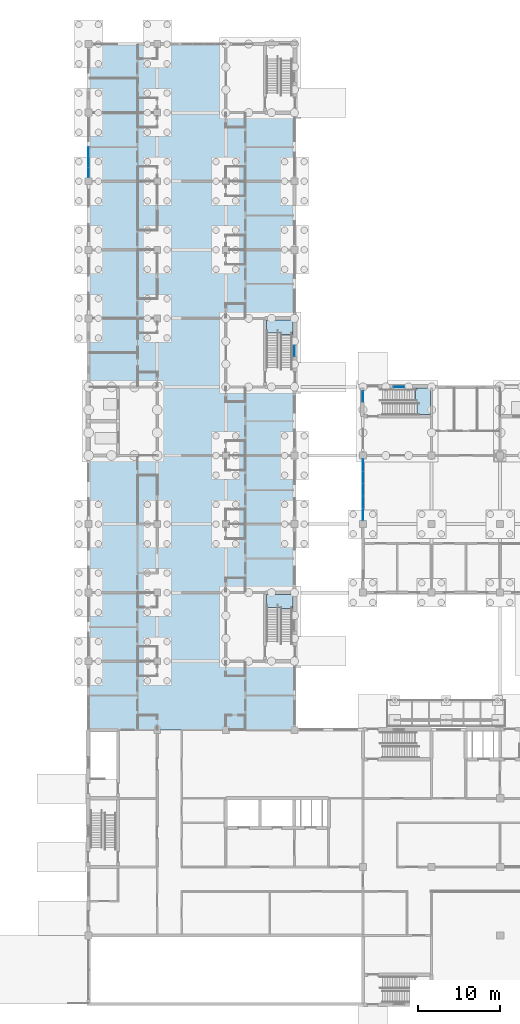
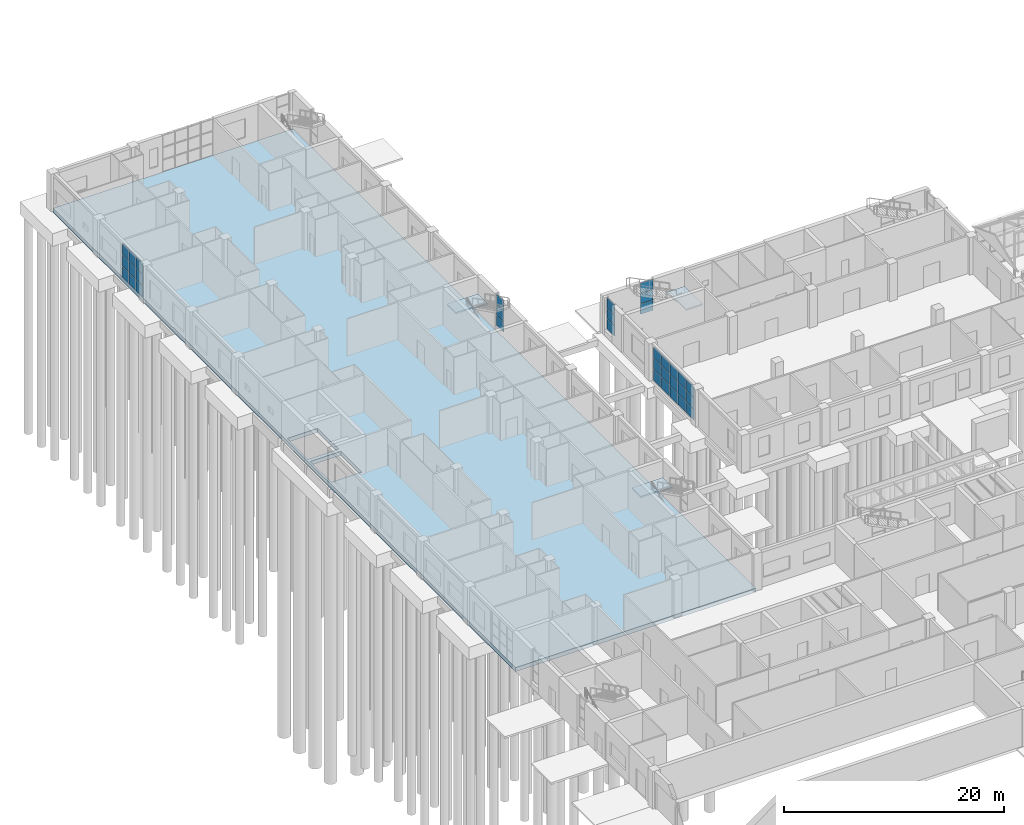
# One storey, part 81 of 138: 33 plates, 4 slabs, 8 elements without a shape of their own.
"""IFC4 building model written with IfcOpenShell, lengths in metres."""

from ifc_helpers import new_model, si_unit, direction, frame, origin, origin_2d, place, context, subcontext, project, spatial, polyline, rectangle, outline, extrude, material, layer, layer_set, type_object, element, aggregate, save


model = new_model("IFC4")

# Units and contexts
model_context = context("Model", 3, precision=1e-05, world=origin(), true_north=direction((0.0, 1.0)))
body_context = subcontext(model_context, "Body", "Model", "MODEL_VIEW")
ifc_project = project(units=[si_unit("LENGTHUNIT", "METRE"), si_unit("AREAUNIT", "SQUARE_METRE"), si_unit("VOLUMEUNIT", "CUBIC_METRE"), si_unit("PLANEANGLEUNIT", "RADIAN"), si_unit("MASSUNIT", "GRAM", prefix="KILO")], contexts=[model_context])

# Site, building, storey
site_placement = place(None, origin())
site = spatial("IfcSite", under=ifc_project, at=site_placement, CompositionType="ELEMENT")
building_placement = place(site_placement, origin())
building = spatial("IfcBuilding", under=site, at=building_placement, Name="Yavir Park General Hospital", CompositionType="ELEMENT")
storey_placement = place(building_placement, origin())
storey = spatial("IfcBuildingStorey", under=building, at=storey_placement, Name="L00", CompositionType="ELEMENT", Elevation=0.0)

# Stair, slab
ifc_material_1 = material(Name="Concrete C30/37", Category="concrete")
stair_type = type_object("IfcStairType", Name="Patient escape stair, 30 risers of 150 mm, 1400 mm flights", PredefinedType="HALF_TURN_STAIR", material=ifc_material_1)
stair_1_placement = place(storey_placement, origin())
stair_1 = element("IfcStair", 1, at=stair_1_placement, inside=storey, type_object=stair_type, Name="Stair SW1, L00 to L01", PredefinedType="HALF_TURN_STAIR")
ifc_material_2 = material(Name="Concrete C30/37", Category="concrete")
ifc_layer_1 = layer(ifc_material_2, 0.159912109375)
ifc_layer_set_1 = layer_set([ifc_layer_1], Name="Concrete C30/37")
slab_type_1 = type_object("IfcSlabType", Name="Patient escape stair half landing, reinforced concrete 160 mm", PredefinedType="LANDING", material=ifc_layer_set_1)
slab_1_placement = place(storey_placement, frame((0.0, 0.0, 2.090087890625)))
slab_1 = element("IfcSlab", 2, at=slab_1_placement, type_object=slab_type_1, Name="SW1 landing 1", PredefinedType="LANDING", context=body_context, shape_type="SweptSolid", body=[
    extrude(outline(polyline([(21.800048828125, 48.598388671875), (21.800048828125, 50.199951171875), (25.050048828125, 50.199951171875), (25.050048828125, 48.449951171875), (23.5, 48.449951171875), (23.5, 48.598388671875), (21.800048828125, 48.598388671875)])), origin(), (0.0, 0.0, 1.0), 0.159912109375),
])
aggregate(stair_1, [slab_1])

stair_2_placement = place(storey_placement, origin())
stair_2 = element("IfcStair", 3, at=stair_2_placement, inside=storey, type_object=stair_type, Name="Stair SW2, L00 to L01", PredefinedType="HALF_TURN_STAIR")
slab_2_placement = place(storey_placement, frame((0.0, 0.0, 2.090087890625)))
slab_2 = element("IfcSlab", 4, at=slab_2_placement, type_object=slab_type_1, Name="SW2 landing 1", PredefinedType="LANDING", context=body_context, shape_type="SweptSolid", body=[
    extrude(outline(polyline([(21.800048828125, 82.198486328125), (21.800048828125, 83.800048828125), (25.050048828125, 83.800048828125), (25.050048828125, 82.050048828125), (23.5, 82.050048828125), (23.5, 82.198486328125), (21.800048828125, 82.198486328125)])), origin(), (0.0, 0.0, 1.0), 0.159912109375),
])
aggregate(stair_2, [slab_2])

stair_3_placement = place(storey_placement, origin())
stair_3 = element("IfcStair", 5, at=stair_3_placement, inside=storey, type_object=stair_type, Name="Stair CS1, L00 to L01", PredefinedType="HALF_TURN_STAIR")
slab_3_placement = place(storey_placement, frame((0.0, 0.0, 2.090087890625)))
slab_3 = element("IfcSlab", 6, at=slab_3_placement, type_object=slab_type_1, Name="CS1 landing 1", PredefinedType="LANDING", context=body_context, shape_type="SweptSolid", body=[
    extrude(outline(polyline([(40.198486328125, 72.199951171875), (41.89990234375, 72.199951171875), (41.89990234375, 75.449951171875), (40.050048828125, 75.449951171875), (40.050048828125, 73.89990234375), (40.198486328125, 73.89990234375), (40.198486328125, 72.199951171875)])), origin(), (0.0, 0.0, 1.0), 0.159912109375),
])
aggregate(stair_3, [slab_3])

# Slab
ifc_material_3 = material(Name="Concrete C35/45", Category="concrete")
ifc_layer_2 = layer(ifc_material_3, 0.449951171875)
ifc_layer_set_2 = layer_set([ifc_layer_2], Name="Concrete C35/45")
slab_type_2 = type_object("IfcSlabType", Name="RC SLAB BASESLAB 450", PredefinedType="BASESLAB", material=ifc_layer_set_2)
slab_4_placement = place(storey_placement, frame((0.0, 0.0, -0.4501953125)))
element("IfcSlab", 7, at=slab_4_placement, inside=storey, type_object=slab_type_2, Name="S:L00:1", PredefinedType="BASESLAB", context=body_context, shape_type="SweptSolid", body=[
    extrude(outline(polyline([(25.199951171875, 117.60009765625), (0.0, 117.60009765625), (0.0, 33.60009765625), (25.199951171875, 33.60009765625), (25.199951171875, 117.60009765625)]), holes=[polyline([(3.39990234375, 67.39990234375), (0.199951171875, 67.39990234375), (0.199951171875, 71.199951171875), (3.39990234375, 71.199951171875), (3.39990234375, 67.39990234375)]), polyline([(3.39990234375, 71.60009765625), (0.199951171875, 71.60009765625), (0.199951171875, 75.39990234375), (3.39990234375, 75.39990234375), (3.39990234375, 71.60009765625)])]), origin(), (0.0, 0.0, 1.0), 0.4501953125),
])

# Curtain wall, plates
ifc_material_4 = material(Name="Aluminium curtain wall frame with insulated glazing", Category="aluminium")
curtain_wall_type_1 = type_object("IfcCurtainWallType", Name="Reception glazing, 3840 high, 1400 module", PredefinedType="NOTDEFINED", material=ifc_material_4)
curtain_wall_1_placement = place(storey_placement, origin())
curtain_wall_1 = element("IfcCurtainWall", 8, at=curtain_wall_1_placement, inside=storey, type_object=curtain_wall_type_1, Name="CW8 L00-041", PredefinedType="NOTDEFINED")
ifc_material_5 = material(Name="Security glazed unit 50 mm")
ifc_layer_3 = layer(ifc_material_5, 0.050048828125)
ifc_layer_set_3 = layer_set([ifc_layer_3], Name="Security glazed unit 50 mm")
plate_type_1 = type_object("IfcPlateType", Name="Reception glazing, 3840 high panel 50", PredefinedType="CURTAIN_PANEL", material=ifc_layer_set_3)
plate_1_placement = place(storey_placement, frame((0.0, 101.869140625, 0.06005859375), z_axis=(0.0, 0.0, 1.0), x_axis=(0.0, 1.0, 0.0)))
plate_1 = element("IfcPlate", 9, at=plate_1_placement, type_object=plate_type_1, Name="CW8 panel 1.1", PredefinedType="CURTAIN_PANEL", context=body_context, shape_type="SweptSolid", body=[
    extrude(rectangle(XDim=1.168212890625, YDim=0.050048828125, at=origin_2d()), origin(), (0.0, 0.0, 1.0), 1.18994140625),
])
plate_2_placement = place(storey_placement, frame((0.0, 101.869140625, 1.31005859375), z_axis=(0.0, 0.0, 1.0), x_axis=(0.0, 1.0, 0.0)))
plate_2 = element("IfcPlate", 10, at=plate_2_placement, type_object=plate_type_1, Name="CW8 panel 1.2", PredefinedType="CURTAIN_PANEL", context=body_context, shape_type="SweptSolid", body=[
    extrude(rectangle(XDim=1.168212890625, YDim=0.050048828125, at=origin_2d()), origin(), (0.0, 0.0, 1.0), 1.219970703125),
])
plate_3_placement = place(storey_placement, frame((0.0, 101.869140625, 2.590087890625), z_axis=(0.0, 0.0, 1.0), x_axis=(0.0, 1.0, 0.0)))
plate_3 = element("IfcPlate", 11, at=plate_3_placement, type_object=plate_type_1, Name="CW8 panel 1.3", PredefinedType="CURTAIN_PANEL", context=body_context, shape_type="SweptSolid", body=[
    extrude(rectangle(XDim=1.168212890625, YDim=0.050048828125, at=origin_2d()), origin(), (0.0, 0.0, 1.0), 1.18994140625),
])
plate_4_placement = place(storey_placement, frame((0.0, 103.112548828125, 0.06005859375), z_axis=(0.0, 0.0, 1.0), x_axis=(0.0, 1.0, 0.0)))
plate_4 = element("IfcPlate", 12, at=plate_4_placement, type_object=plate_type_1, Name="CW8 panel 2.1", PredefinedType="CURTAIN_PANEL", context=body_context, shape_type="SweptSolid", body=[
    extrude(rectangle(XDim=1.1982421875, YDim=0.050048828125, at=origin_2d()), origin(), (0.0, 0.0, 1.0), 1.18994140625),
])
plate_5_placement = place(storey_placement, frame((0.0, 103.112548828125, 1.31005859375), z_axis=(0.0, 0.0, 1.0), x_axis=(0.0, 1.0, 0.0)))
plate_5 = element("IfcPlate", 13, at=plate_5_placement, type_object=plate_type_1, Name="CW8 panel 2.2", PredefinedType="CURTAIN_PANEL", context=body_context, shape_type="SweptSolid", body=[
    extrude(rectangle(XDim=1.1982421875, YDim=0.050048828125, at=origin_2d()), origin(), (0.0, 0.0, 1.0), 1.219970703125),
])
plate_6_placement = place(storey_placement, frame((0.0, 103.112548828125, 2.590087890625), z_axis=(0.0, 0.0, 1.0), x_axis=(0.0, 1.0, 0.0)))
plate_6 = element("IfcPlate", 14, at=plate_6_placement, type_object=plate_type_1, Name="CW8 panel 2.3", PredefinedType="CURTAIN_PANEL", context=body_context, shape_type="SweptSolid", body=[
    extrude(rectangle(XDim=1.1982421875, YDim=0.050048828125, at=origin_2d()), origin(), (0.0, 0.0, 1.0), 1.18994140625),
])
plate_7_placement = place(storey_placement, frame((0.0, 104.355712890625, 0.06005859375), z_axis=(0.0, 0.0, 1.0), x_axis=(0.0, 1.0, 0.0)))
plate_7 = element("IfcPlate", 15, at=plate_7_placement, type_object=plate_type_1, Name="CW8 panel 3.1", PredefinedType="CURTAIN_PANEL", context=body_context, shape_type="SweptSolid", body=[
    extrude(rectangle(XDim=1.168212890625, YDim=0.050048828125, at=origin_2d()), origin(), (0.0, 0.0, 1.0), 1.18994140625),
])
plate_8_placement = place(storey_placement, frame((0.0, 104.355712890625, 1.31005859375), z_axis=(0.0, 0.0, 1.0), x_axis=(0.0, 1.0, 0.0)))
plate_8 = element("IfcPlate", 16, at=plate_8_placement, type_object=plate_type_1, Name="CW8 panel 3.2", PredefinedType="CURTAIN_PANEL", context=body_context, shape_type="SweptSolid", body=[
    extrude(rectangle(XDim=1.168212890625, YDim=0.050048828125, at=origin_2d()), origin(), (0.0, 0.0, 1.0), 1.219970703125),
])
plate_9_placement = place(storey_placement, frame((0.0, 104.355712890625, 2.590087890625), z_axis=(0.0, 0.0, 1.0), x_axis=(0.0, 1.0, 0.0)))
plate_9 = element("IfcPlate", 17, at=plate_9_placement, type_object=plate_type_1, Name="CW8 panel 3.3", PredefinedType="CURTAIN_PANEL", context=body_context, shape_type="SweptSolid", body=[
    extrude(rectangle(XDim=1.168212890625, YDim=0.050048828125, at=origin_2d()), origin(), (0.0, 0.0, 1.0), 1.18994140625),
])
aggregate(curtain_wall_1, [plate_1, plate_2, plate_3, plate_4, plate_5, plate_6, plate_7, plate_8, plate_9])

curtain_wall_2_placement = place(storey_placement, origin())
curtain_wall_2 = element("IfcCurtainWall", 18, at=curtain_wall_2_placement, inside=storey, type_object=curtain_wall_type_1, Name="CW8 L00-045", PredefinedType="NOTDEFINED")
plate_10_placement = place(storey_placement, frame((33.60009765625, 59.9951171875, 0.06005859375), z_axis=(0.0, 0.0, 1.0), x_axis=(0.0, 1.0, 0.0)))
plate_10 = element("IfcPlate", 19, at=plate_10_placement, type_object=plate_type_1, Name="CW8 panel 1.1", PredefinedType="CURTAIN_PANEL", context=body_context, shape_type="SweptSolid", body=[
    extrude(rectangle(XDim=1.419921875, YDim=0.050048828125, at=origin_2d()), origin(), (0.0, 0.0, 1.0), 1.18994140625),
])
plate_11_placement = place(storey_placement, frame((33.60009765625, 59.9951171875, 1.31005859375), z_axis=(0.0, 0.0, 1.0), x_axis=(0.0, 1.0, 0.0)))
plate_11 = element("IfcPlate", 20, at=plate_11_placement, type_object=plate_type_1, Name="CW8 panel 1.2", PredefinedType="CURTAIN_PANEL", context=body_context, shape_type="SweptSolid", body=[
    extrude(rectangle(XDim=1.419921875, YDim=0.050048828125, at=origin_2d()), origin(), (0.0, 0.0, 1.0), 1.219970703125),
])
plate_12_placement = place(storey_placement, frame((33.60009765625, 59.9951171875, 2.590087890625), z_axis=(0.0, 0.0, 1.0), x_axis=(0.0, 1.0, 0.0)))
plate_12 = element("IfcPlate", 21, at=plate_12_placement, type_object=plate_type_1, Name="CW8 panel 1.3", PredefinedType="CURTAIN_PANEL", context=body_context, shape_type="SweptSolid", body=[
    extrude(rectangle(XDim=1.419921875, YDim=0.050048828125, at=origin_2d()), origin(), (0.0, 0.0, 1.0), 1.18994140625),
])
plate_13_placement = place(storey_placement, frame((33.60009765625, 61.489990234375, 0.06005859375), z_axis=(0.0, 0.0, 1.0), x_axis=(0.0, 1.0, 0.0)))
plate_13 = element("IfcPlate", 22, at=plate_13_placement, type_object=plate_type_1, Name="CW8 panel 2.1", PredefinedType="CURTAIN_PANEL", context=body_context, shape_type="SweptSolid", body=[
    extrude(rectangle(XDim=1.449951171875, YDim=0.050048828125, at=origin_2d()), origin(), (0.0, 0.0, 1.0), 1.18994140625),
])
plate_14_placement = place(storey_placement, frame((33.60009765625, 61.489990234375, 1.31005859375), z_axis=(0.0, 0.0, 1.0), x_axis=(0.0, 1.0, 0.0)))
plate_14 = element("IfcPlate", 23, at=plate_14_placement, type_object=plate_type_1, Name="CW8 panel 2.2", PredefinedType="CURTAIN_PANEL", context=body_context, shape_type="SweptSolid", body=[
    extrude(rectangle(XDim=1.449951171875, YDim=0.050048828125, at=origin_2d()), origin(), (0.0, 0.0, 1.0), 1.219970703125),
])
plate_15_placement = place(storey_placement, frame((33.60009765625, 61.489990234375, 2.590087890625), z_axis=(0.0, 0.0, 1.0), x_axis=(0.0, 1.0, 0.0)))
plate_15 = element("IfcPlate", 24, at=plate_15_placement, type_object=plate_type_1, Name="CW8 panel 2.3", PredefinedType="CURTAIN_PANEL", context=body_context, shape_type="SweptSolid", body=[
    extrude(rectangle(XDim=1.449951171875, YDim=0.050048828125, at=origin_2d()), origin(), (0.0, 0.0, 1.0), 1.18994140625),
])
plate_16_placement = place(storey_placement, frame((33.60009765625, 63.0, 0.06005859375), z_axis=(0.0, 0.0, 1.0), x_axis=(0.0, 1.0, 0.0)))
plate_16 = element("IfcPlate", 25, at=plate_16_placement, type_object=plate_type_1, Name="CW8 panel 3.1", PredefinedType="CURTAIN_PANEL", context=body_context, shape_type="SweptSolid", body=[
    extrude(rectangle(XDim=1.449951171875, YDim=0.050048828125, at=origin_2d()), origin(), (0.0, 0.0, 1.0), 1.18994140625),
])
plate_17_placement = place(storey_placement, frame((33.60009765625, 63.0, 1.31005859375), z_axis=(0.0, 0.0, 1.0), x_axis=(0.0, 1.0, 0.0)))
plate_17 = element("IfcPlate", 26, at=plate_17_placement, type_object=plate_type_1, Name="CW8 panel 3.2", PredefinedType="CURTAIN_PANEL", context=body_context, shape_type="SweptSolid", body=[
    extrude(rectangle(XDim=1.449951171875, YDim=0.050048828125, at=origin_2d()), origin(), (0.0, 0.0, 1.0), 1.219970703125),
])
plate_18_placement = place(storey_placement, frame((33.60009765625, 63.0, 2.590087890625), z_axis=(0.0, 0.0, 1.0), x_axis=(0.0, 1.0, 0.0)))
plate_18 = element("IfcPlate", 27, at=plate_18_placement, type_object=plate_type_1, Name="CW8 panel 3.3", PredefinedType="CURTAIN_PANEL", context=body_context, shape_type="SweptSolid", body=[
    extrude(rectangle(XDim=1.449951171875, YDim=0.050048828125, at=origin_2d()), origin(), (0.0, 0.0, 1.0), 1.18994140625),
])
plate_19_placement = place(storey_placement, frame((33.60009765625, 64.510009765625, 0.06005859375), z_axis=(0.0, 0.0, 1.0), x_axis=(0.0, 1.0, 0.0)))
plate_19 = element("IfcPlate", 28, at=plate_19_placement, type_object=plate_type_1, Name="CW8 panel 4.1", PredefinedType="CURTAIN_PANEL", context=body_context, shape_type="SweptSolid", body=[
    extrude(rectangle(XDim=1.449951171875, YDim=0.050048828125, at=origin_2d()), origin(), (0.0, 0.0, 1.0), 1.18994140625),
])
plate_20_placement = place(storey_placement, frame((33.60009765625, 64.510009765625, 1.31005859375), z_axis=(0.0, 0.0, 1.0), x_axis=(0.0, 1.0, 0.0)))
plate_20 = element("IfcPlate", 29, at=plate_20_placement, type_object=plate_type_1, Name="CW8 panel 4.2", PredefinedType="CURTAIN_PANEL", context=body_context, shape_type="SweptSolid", body=[
    extrude(rectangle(XDim=1.449951171875, YDim=0.050048828125, at=origin_2d()), origin(), (0.0, 0.0, 1.0), 1.219970703125),
])
plate_21_placement = place(storey_placement, frame((33.60009765625, 64.510009765625, 2.590087890625), z_axis=(0.0, 0.0, 1.0), x_axis=(0.0, 1.0, 0.0)))
plate_21 = element("IfcPlate", 30, at=plate_21_placement, type_object=plate_type_1, Name="CW8 panel 4.3", PredefinedType="CURTAIN_PANEL", context=body_context, shape_type="SweptSolid", body=[
    extrude(rectangle(XDim=1.449951171875, YDim=0.050048828125, at=origin_2d()), origin(), (0.0, 0.0, 1.0), 1.18994140625),
])
plate_22_placement = place(storey_placement, frame((33.60009765625, 66.0048828125, 0.06005859375), z_axis=(0.0, 0.0, 1.0), x_axis=(0.0, 1.0, 0.0)))
plate_22 = element("IfcPlate", 31, at=plate_22_placement, type_object=plate_type_1, Name="CW8 panel 5.1", PredefinedType="CURTAIN_PANEL", context=body_context, shape_type="SweptSolid", body=[
    extrude(rectangle(XDim=1.419921875, YDim=0.050048828125, at=origin_2d()), origin(), (0.0, 0.0, 1.0), 1.18994140625),
])
plate_23_placement = place(storey_placement, frame((33.60009765625, 66.0048828125, 1.31005859375), z_axis=(0.0, 0.0, 1.0), x_axis=(0.0, 1.0, 0.0)))
plate_23 = element("IfcPlate", 32, at=plate_23_placement, type_object=plate_type_1, Name="CW8 panel 5.2", PredefinedType="CURTAIN_PANEL", context=body_context, shape_type="SweptSolid", body=[
    extrude(rectangle(XDim=1.419921875, YDim=0.050048828125, at=origin_2d()), origin(), (0.0, 0.0, 1.0), 1.219970703125),
])
plate_24_placement = place(storey_placement, frame((33.60009765625, 66.0048828125, 2.590087890625), z_axis=(0.0, 0.0, 1.0), x_axis=(0.0, 1.0, 0.0)))
plate_24 = element("IfcPlate", 33, at=plate_24_placement, type_object=plate_type_1, Name="CW8 panel 5.3", PredefinedType="CURTAIN_PANEL", context=body_context, shape_type="SweptSolid", body=[
    extrude(rectangle(XDim=1.419921875, YDim=0.050048828125, at=origin_2d()), origin(), (0.0, 0.0, 1.0), 1.18994140625),
])
aggregate(curtain_wall_2, [plate_10, plate_11, plate_12, plate_13, plate_14, plate_15, plate_16, plate_17, plate_18, plate_19, plate_20, plate_21, plate_22, plate_23, plate_24])

ifc_material_6 = material(Name="Aluminium curtain wall frame with insulated glazing", Category="aluminium")
curtain_wall_type_2 = type_object("IfcCurtainWallType", Name="Stair light slot, ground floor, 3540 high, 1400 module", PredefinedType="NOTDEFINED", material=ifc_material_6)
curtain_wall_3_placement = place(storey_placement, origin())
curtain_wall_3 = element("IfcCurtainWall", 34, at=curtain_wall_3_placement, inside=storey, type_object=curtain_wall_type_2, Name="CW19 L00-033", PredefinedType="NOTDEFINED")
ifc_material_7 = material(Name="Impact-resistant glazed unit 60 mm")
ifc_layer_4 = layer(ifc_material_7, 0.06005859375)
ifc_layer_set_4 = layer_set([ifc_layer_4], Name="Impact-resistant glazed unit 60 mm")
plate_type_2 = type_object("IfcPlateType", Name="Stair light slot, ground floor, 3540 high panel 60", PredefinedType="CURTAIN_PANEL", material=ifc_layer_set_4)
plate_25_placement = place(storey_placement, frame((38.0, 75.60009765625, 0.64990234375), z_axis=(0.0, 0.0, 1.0), x_axis=(1.0, 0.0, 0.0)))
plate_25 = element("IfcPlate", 35, at=plate_25_placement, type_object=plate_type_2, Name="CW19 panel 1.1", PredefinedType="CURTAIN_PANEL", context=body_context, shape_type="SweptSolid", body=[
    extrude(rectangle(XDim=1.300048828125, YDim=0.06005859375, at=origin_2d()), origin(), (0.0, 0.0, 1.0), 1.10498046875),
])
plate_26_placement = place(storey_placement, frame((38.0, 75.60009765625, 1.80517578125), z_axis=(0.0, 0.0, 1.0), x_axis=(1.0, 0.0, 0.0)))
plate_26 = element("IfcPlate", 36, at=plate_26_placement, type_object=plate_type_2, Name="CW19 panel 1.2", PredefinedType="CURTAIN_PANEL", context=body_context, shape_type="SweptSolid", body=[
    extrude(rectangle(XDim=1.300048828125, YDim=0.06005859375, at=origin_2d()), origin(), (0.0, 0.0, 1.0), 1.1298828125),
])
plate_27_placement = place(storey_placement, frame((38.0, 75.60009765625, 2.985107421875), z_axis=(0.0, 0.0, 1.0), x_axis=(1.0, 0.0, 0.0)))
plate_27 = element("IfcPlate", 37, at=plate_27_placement, type_object=plate_type_2, Name="CW19 panel 1.3", PredefinedType="CURTAIN_PANEL", context=body_context, shape_type="SweptSolid", body=[
    extrude(rectangle(XDim=1.300048828125, YDim=0.06005859375, at=origin_2d()), origin(), (0.0, 0.0, 1.0), 1.10498046875),
])
aggregate(curtain_wall_3, [plate_25, plate_26, plate_27])

curtain_wall_4_placement = place(storey_placement, origin())
curtain_wall_4 = element("IfcCurtainWall", 38, at=curtain_wall_4_placement, inside=storey, type_object=curtain_wall_type_2, Name="CW19 L00-043", PredefinedType="NOTDEFINED")
plate_28_placement = place(storey_placement, frame((25.199951171875, 80.0, 0.64990234375), z_axis=(0.0, 0.0, 1.0), x_axis=(0.0, 1.0, 0.0)))
plate_28 = element("IfcPlate", 39, at=plate_28_placement, type_object=plate_type_2, Name="CW19 panel 1.1", PredefinedType="CURTAIN_PANEL", context=body_context, shape_type="SweptSolid", body=[
    extrude(rectangle(XDim=1.300048828125, YDim=0.06005859375, at=origin_2d()), origin(), (0.0, 0.0, 1.0), 1.10498046875),
])
plate_29_placement = place(storey_placement, frame((25.199951171875, 80.0, 1.80517578125), z_axis=(0.0, 0.0, 1.0), x_axis=(0.0, 1.0, 0.0)))
plate_29 = element("IfcPlate", 40, at=plate_29_placement, type_object=plate_type_2, Name="CW19 panel 1.2", PredefinedType="CURTAIN_PANEL", context=body_context, shape_type="SweptSolid", body=[
    extrude(rectangle(XDim=1.300048828125, YDim=0.06005859375, at=origin_2d()), origin(), (0.0, 0.0, 1.0), 1.1298828125),
])
plate_30_placement = place(storey_placement, frame((25.199951171875, 80.0, 2.985107421875), z_axis=(0.0, 0.0, 1.0), x_axis=(0.0, 1.0, 0.0)))
plate_30 = element("IfcPlate", 41, at=plate_30_placement, type_object=plate_type_2, Name="CW19 panel 1.3", PredefinedType="CURTAIN_PANEL", context=body_context, shape_type="SweptSolid", body=[
    extrude(rectangle(XDim=1.300048828125, YDim=0.06005859375, at=origin_2d()), origin(), (0.0, 0.0, 1.0), 1.10498046875),
])
aggregate(curtain_wall_4, [plate_28, plate_29, plate_30])

curtain_wall_5_placement = place(storey_placement, origin())
curtain_wall_5 = element("IfcCurtainWall", 42, at=curtain_wall_5_placement, inside=storey, type_object=curtain_wall_type_2, Name="CW19 L00-046", PredefinedType="NOTDEFINED")
plate_31_placement = place(storey_placement, frame((33.60009765625, 74.449951171875, 0.64990234375), z_axis=(0.0, 0.0, 1.0), x_axis=(0.0, 1.0, 0.0)))
plate_31 = element("IfcPlate", 43, at=plate_31_placement, type_object=plate_type_2, Name="CW19 panel 1.1", PredefinedType="CURTAIN_PANEL", context=body_context, shape_type="SweptSolid", body=[
    extrude(rectangle(XDim=1.300048828125, YDim=0.06005859375, at=origin_2d()), origin(), (0.0, 0.0, 1.0), 1.10498046875),
])
plate_32_placement = place(storey_placement, frame((33.60009765625, 74.449951171875, 1.80517578125), z_axis=(0.0, 0.0, 1.0), x_axis=(0.0, 1.0, 0.0)))
plate_32 = element("IfcPlate", 44, at=plate_32_placement, type_object=plate_type_2, Name="CW19 panel 1.2", PredefinedType="CURTAIN_PANEL", context=body_context, shape_type="SweptSolid", body=[
    extrude(rectangle(XDim=1.300048828125, YDim=0.06005859375, at=origin_2d()), origin(), (0.0, 0.0, 1.0), 1.1298828125),
])
plate_33_placement = place(storey_placement, frame((33.60009765625, 74.449951171875, 2.985107421875), z_axis=(0.0, 0.0, 1.0), x_axis=(0.0, 1.0, 0.0)))
plate_33 = element("IfcPlate", 45, at=plate_33_placement, type_object=plate_type_2, Name="CW19 panel 1.3", PredefinedType="CURTAIN_PANEL", context=body_context, shape_type="SweptSolid", body=[
    extrude(rectangle(XDim=1.300048828125, YDim=0.06005859375, at=origin_2d()), origin(), (0.0, 0.0, 1.0), 1.10498046875),
])
aggregate(curtain_wall_5, [plate_31, plate_32, plate_33])

save(model, "model.ifc")
